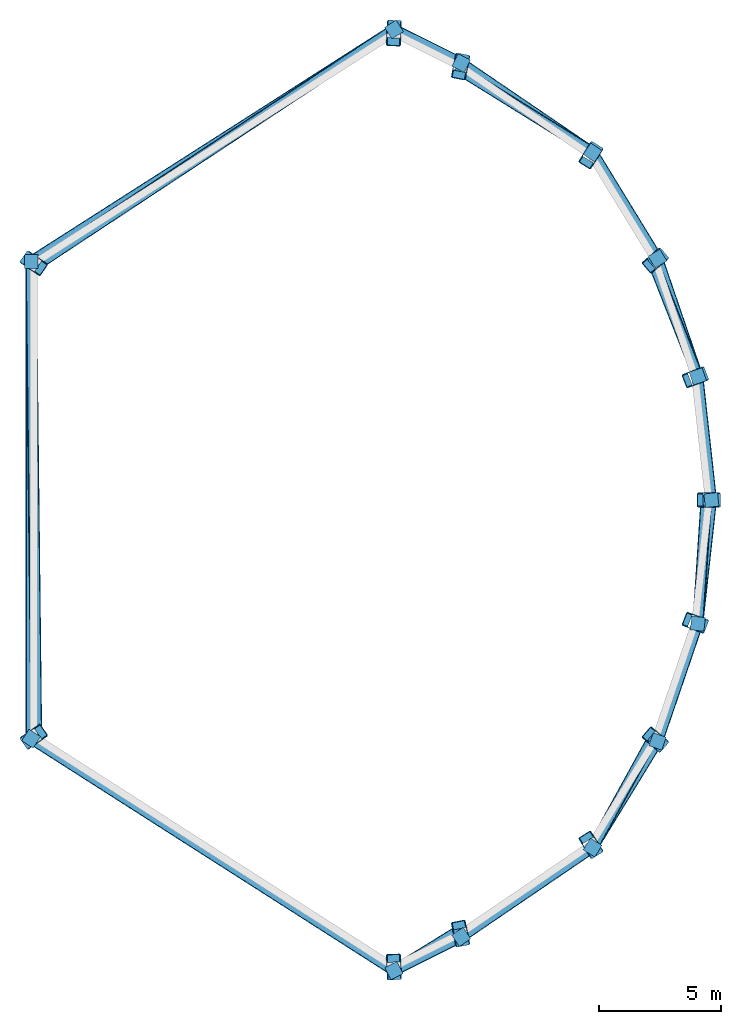
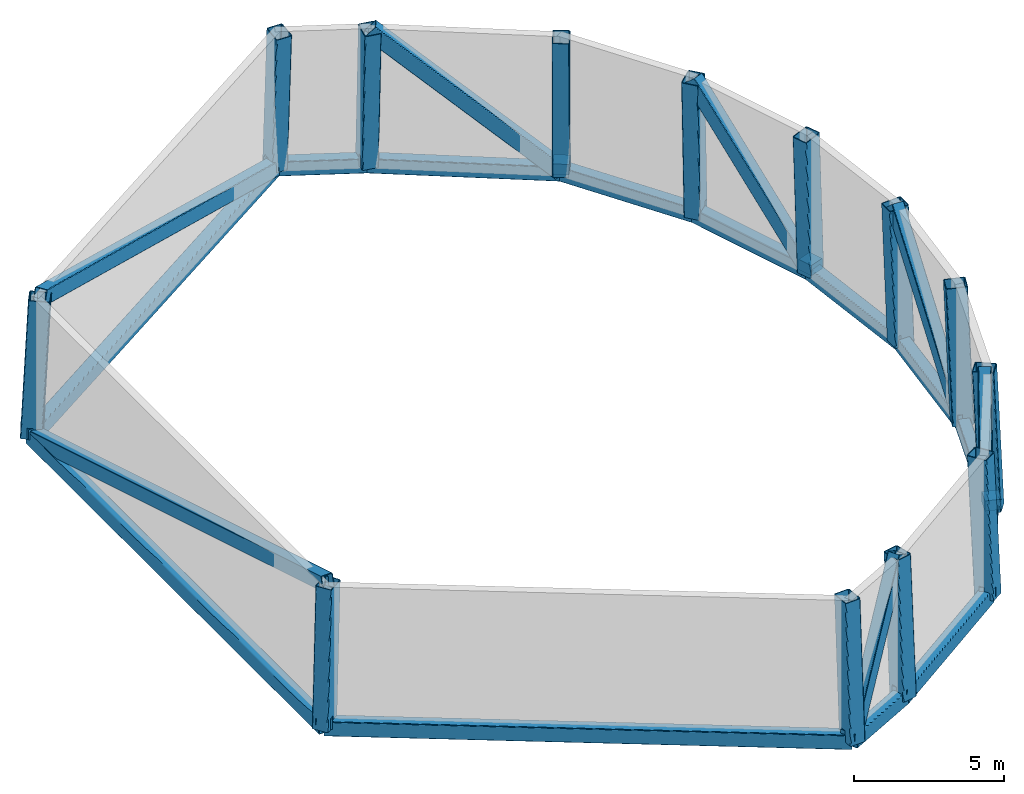
# One storey, part 1 of 2: 33 members, 13 discrete accessories.
"""IFC4 building model written with IfcOpenShell, lengths in metres."""

from ifc_helpers import new_model, si_unit, direction, frame, origin, origin_2d, place, context, subcontext, project, spatial, rectangle, hollow_rectangle, extrude, material, material_profile, profile_set, type_object, element, save


model = new_model("IFC4")

# Units and contexts
model_context = context("Model", 3, precision=1e-05, world=origin(), true_north=direction((0.0, 1.0)))
body_context = subcontext(model_context, "Body", "Model", "MODEL_VIEW")
ifc_project = project(units=[si_unit("LENGTHUNIT", "METRE"), si_unit("AREAUNIT", "SQUARE_METRE"), si_unit("VOLUMEUNIT", "CUBIC_METRE"), si_unit("PLANEANGLEUNIT", "RADIAN"), si_unit("MASSUNIT", "GRAM", prefix="KILO")], contexts=[model_context])

# Site, building, storey
site_placement = place(None, origin())
site = spatial("IfcSite", under=ifc_project, at=site_placement, CompositionType="ELEMENT")
building_placement = place(site_placement, origin())
building = spatial("IfcBuilding", under=site, at=building_placement, Name="Qorvath Tower", CompositionType="ELEMENT")
storey_placement = place(building_placement, frame((0.0, 0.0, 345.0)))
storey = spatial("IfcBuildingStorey", under=building, at=storey_placement, Name="L80", CompositionType="ELEMENT", Elevation=345.0)

# Members
ifc_material_1 = material(Name="Steel ASTM A572 Grade 50", Category="steel")
ifc_material_profile_1 = material_profile(ifc_material_1, hollow_rectangle(XDim=0.60009765625, YDim=0.75, WallThickness=0.031982421875, InnerFilletRadius=0.031982421875, OuterFilletRadius=0.06396484375, at=origin_2d()), Name="CROWN BOX 750x600x32")
ifc_profile_set_1 = profile_set([ifc_material_profile_1], Name="Steel ASTM A572 Grade 50")
member_type_1 = type_object("IfcMemberType", Name="MEM-CF1", PredefinedType="USERDEFINED", material=ifc_profile_set_1)
for number, where, z_axis, x_axis, name in (
    (1, (-34.052978515625, 9.74365234375, 0.0), (0.03979697798, -0.02761511435, 0.998826113997), (0.570093876895, 0.821579558854, 0.0), "CROWN FRAME Post L80-01"),
    (2, (-34.052978515625, -9.74365234375, 0.0), (0.03979697798, 0.02761511435, 0.998826113997), (-0.570093876895, 0.821579558854, 0.0), "CROWN FRAME Post L80-02"),
):
    element("IfcMember", number, at=place(storey_placement, frame(where, z_axis=z_axis, x_axis=x_axis)), inside=storey, type_object=member_type_1, Name=name, ObjectType="CROWN FRAME", PredefinedType="USERDEFINED", context=body_context, shape_type="SweptSolid", body=[
        extrude(hollow_rectangle(XDim=0.60009765625, YDim=0.75, WallThickness=0.031982421875, InnerFilletRadius=0.031982421875, OuterFilletRadius=0.06396484375, at=origin_2d()), origin(), (0.0, 0.0, 1.0), 5.631591796875),
    ])
member_1_placement = place(storey_placement, frame((-19.2353515625, -19.2138671875, 0.0), z_axis=(-0.0021669164, 0.054432939976, 0.998515077262), x_axis=(-0.999208565601, -0.039777411051, 0.0)))
element("IfcMember", 3, at=member_1_placement, inside=storey, type_object=member_type_1, Name="CROWN FRAME Post L80-03", ObjectType="CROWN FRAME", PredefinedType="USERDEFINED", context=body_context, shape_type="SweptSolid", body=[
    extrude(hollow_rectangle(XDim=0.60009765625, YDim=0.75, WallThickness=0.031982421875, InnerFilletRadius=0.031982421875, OuterFilletRadius=0.06396484375, at=origin_2d()), origin(), (0.0, 0.0, 1.0), 5.63330078125),
])
member_2_placement = place(storey_placement, frame((-16.49072265625, -17.84130859375, 0.0), z_axis=(-0.009926043629, 0.05054046669, 0.998672686562), x_axis=(-0.981254504539, -0.192716364957, 0.0)))
element("IfcMember", 4, at=member_2_placement, inside=storey, type_object=member_type_1, Name="CROWN FRAME Post L80-04", ObjectType="CROWN FRAME", PredefinedType="USERDEFINED", context=body_context, shape_type="SweptSolid", body=[
    extrude(hollow_rectangle(XDim=0.60009765625, YDim=0.75, WallThickness=0.031982421875, InnerFilletRadius=0.031982421875, OuterFilletRadius=0.06396484375, at=origin_2d()), origin(), (0.0, 0.0, 1.0), 5.632568359375),
])
member_3_placement = place(storey_placement, frame((-11.126220703125, -14.18994140625, 0.0), z_axis=(-0.025145306943, 0.040189137131, 0.998875641306), x_axis=(-0.847741322431, -0.5304098889, 0.0)))
element("IfcMember", 5, at=member_3_placement, inside=storey, type_object=member_type_1, Name="CROWN FRAME Post L80-05", ObjectType="CROWN FRAME", PredefinedType="USERDEFINED", context=body_context, shape_type="SweptSolid", body=[
    extrude(hollow_rectangle(XDim=0.60009765625, YDim=0.75, WallThickness=0.031982421875, InnerFilletRadius=0.031982421875, OuterFilletRadius=0.06396484375, at=origin_2d()), origin(), (0.0, 0.0, 1.0), 5.63134765625),
])
member_4_placement = place(storey_placement, frame((-8.474609375, -9.8564453125, 0.0), z_axis=(-0.03269542838, 0.027925538298, 0.999075158971), x_axis=(-0.649461555151, -0.760394429478, 0.0)))
element("IfcMember", 6, at=member_4_placement, inside=storey, type_object=member_type_1, Name="CROWN FRAME Post L80-06", ObjectType="CROWN FRAME", PredefinedType="USERDEFINED", context=body_context, shape_type="SweptSolid", body=[
    extrude(hollow_rectangle(XDim=0.60009765625, YDim=0.75, WallThickness=0.031982421875, InnerFilletRadius=0.031982421875, OuterFilletRadius=0.06396484375, at=origin_2d()), origin(), (0.0, 0.0, 1.0), 5.630126953125),
])
member_5_placement = place(storey_placement, frame((-6.8310546875, -5.049560546875, 0.0), z_axis=(-0.037339900955, 0.014311460296, 0.99920013706), x_axis=(-0.357888732889, -0.933764239447, 0.0)))
element("IfcMember", 7, at=member_5_placement, inside=storey, type_object=member_type_1, Name="CROWN FRAME Post L80-07", ObjectType="CROWN FRAME", PredefinedType="USERDEFINED", context=body_context, shape_type="SweptSolid", body=[
    extrude(hollow_rectangle(XDim=0.60009765625, YDim=0.75, WallThickness=0.031982421875, InnerFilletRadius=0.031982421875, OuterFilletRadius=0.06396484375, at=origin_2d()), origin(), (0.0, 0.0, 1.0), 5.62939453125),
])
member_6_placement = place(storey_placement, frame((-6.2744140625, 0.0, 0.0), z_axis=(-0.038902819874, 0.0, 0.999242998777), x_axis=(0.0, -1.0, 0.0)))
element("IfcMember", 8, at=member_6_placement, inside=storey, type_object=member_type_1, Name="CROWN FRAME Post L80-08", ObjectType="CROWN FRAME", PredefinedType="USERDEFINED", context=body_context, shape_type="SweptSolid", body=[
    extrude(hollow_rectangle(XDim=0.60009765625, YDim=0.75, WallThickness=0.031982421875, InnerFilletRadius=0.031982421875, OuterFilletRadius=0.06396484375, at=origin_2d()), origin(), (0.0, 0.0, 1.0), 5.629150390625),
])
member_7_placement = place(storey_placement, frame((-6.8310546875, 5.049560546875, 0.0), z_axis=(-0.037339900955, -0.014311460296, 0.99920013706), x_axis=(0.357888732889, -0.933764239447, 0.0)))
element("IfcMember", 9, at=member_7_placement, inside=storey, type_object=member_type_1, Name="CROWN FRAME Post L80-09", ObjectType="CROWN FRAME", PredefinedType="USERDEFINED", context=body_context, shape_type="SweptSolid", body=[
    extrude(hollow_rectangle(XDim=0.60009765625, YDim=0.75, WallThickness=0.031982421875, InnerFilletRadius=0.031982421875, OuterFilletRadius=0.06396484375, at=origin_2d()), origin(), (0.0, 0.0, 1.0), 5.62939453125),
])
member_8_placement = place(storey_placement, frame((-8.474609375, 9.8564453125, 0.0), z_axis=(-0.03269542838, -0.027925538298, 0.999075158971), x_axis=(0.649461555151, -0.760394429478, 0.0)))
element("IfcMember", 10, at=member_8_placement, inside=storey, type_object=member_type_1, Name="CROWN FRAME Post L80-10", ObjectType="CROWN FRAME", PredefinedType="USERDEFINED", context=body_context, shape_type="SweptSolid", body=[
    extrude(hollow_rectangle(XDim=0.60009765625, YDim=0.75, WallThickness=0.031982421875, InnerFilletRadius=0.031982421875, OuterFilletRadius=0.06396484375, at=origin_2d()), origin(), (0.0, 0.0, 1.0), 5.630126953125),
])
member_9_placement = place(storey_placement, frame((-11.126220703125, 14.18994140625, 0.0), z_axis=(-0.025145306943, -0.040189137131, 0.998875641306), x_axis=(0.847741322431, -0.5304098889, 0.0)))
element("IfcMember", 11, at=member_9_placement, inside=storey, type_object=member_type_1, Name="CROWN FRAME Post L80-11", ObjectType="CROWN FRAME", PredefinedType="USERDEFINED", context=body_context, shape_type="SweptSolid", body=[
    extrude(hollow_rectangle(XDim=0.60009765625, YDim=0.75, WallThickness=0.031982421875, InnerFilletRadius=0.031982421875, OuterFilletRadius=0.06396484375, at=origin_2d()), origin(), (0.0, 0.0, 1.0), 5.63134765625),
])
member_10_placement = place(storey_placement, frame((-16.49072265625, 17.84130859375, 0.0), z_axis=(-0.009926043629, -0.05054046669, 0.998672686562), x_axis=(0.981254504539, -0.192716364957, 0.0)))
element("IfcMember", 12, at=member_10_placement, inside=storey, type_object=member_type_1, Name="CROWN FRAME Post L80-12", ObjectType="CROWN FRAME", PredefinedType="USERDEFINED", context=body_context, shape_type="SweptSolid", body=[
    extrude(hollow_rectangle(XDim=0.60009765625, YDim=0.75, WallThickness=0.031982421875, InnerFilletRadius=0.031982421875, OuterFilletRadius=0.06396484375, at=origin_2d()), origin(), (0.0, 0.0, 1.0), 5.632568359375),
])
member_11_placement = place(storey_placement, frame((-19.2353515625, 19.2138671875, 0.0), z_axis=(-0.0021669164, -0.054432939976, 0.998515077262), x_axis=(0.999208565601, -0.039777411051, 0.0)))
element("IfcMember", 13, at=member_11_placement, inside=storey, type_object=member_type_1, Name="CROWN FRAME Post L80-13", ObjectType="CROWN FRAME", PredefinedType="USERDEFINED", context=body_context, shape_type="SweptSolid", body=[
    extrude(hollow_rectangle(XDim=0.60009765625, YDim=0.75, WallThickness=0.031982421875, InnerFilletRadius=0.031982421875, OuterFilletRadius=0.06396484375, at=origin_2d()), origin(), (0.0, 0.0, 1.0), 5.63330078125),
])
ifc_material_2 = material(Name="Steel ASTM A572 Grade 50", Category="steel")
ifc_material_profile_2 = material_profile(ifc_material_2, hollow_rectangle(XDim=0.449951171875, YDim=0.60009765625, WallThickness=0.02490234375, InnerFilletRadius=0.02490234375, OuterFilletRadius=0.050048828125, at=origin_2d()), Name="CROWN BOX 600x450x25")
ifc_profile_set_2 = profile_set([ifc_material_profile_2], Name="Steel ASTM A572 Grade 50")
member_type_2 = type_object("IfcMemberType", Name="MEM-CF2", PredefinedType="USERDEFINED", material=ifc_profile_set_2)
member_12_placement = place(storey_placement, frame((-34.052978515625, 9.74365234375, 0.0), z_axis=(0.0, -1.0, 0.0), x_axis=(1.0, 0.0, 0.0)))
element("IfcMember", 14, at=member_12_placement, inside=storey, type_object=member_type_2, Name="CROWN FRAME Ring Beam L80-01", ObjectType="CROWN FRAME", PredefinedType="USERDEFINED", context=body_context, shape_type="SweptSolid", body=[
    extrude(hollow_rectangle(XDim=0.449951171875, YDim=0.60009765625, WallThickness=0.02490234375, InnerFilletRadius=0.02490234375, OuterFilletRadius=0.050048828125, at=origin_2d()), origin(), (0.0, 0.0, 1.0), 19.4873046875),
])
member_13_placement = place(storey_placement, frame((-34.052978515625, -9.74365234375, 0.0), z_axis=(0.842608590963, -0.538526473291, 0.0), x_axis=(0.538526473291, 0.842608590963, 0.0)))
element("IfcMember", 15, at=member_13_placement, inside=storey, type_object=member_type_2, Name="CROWN FRAME Ring Beam L80-02", ObjectType="CROWN FRAME", PredefinedType="USERDEFINED", context=body_context, shape_type="SweptSolid", body=[
    extrude(hollow_rectangle(XDim=0.449951171875, YDim=0.60009765625, WallThickness=0.02490234375, InnerFilletRadius=0.02490234375, OuterFilletRadius=0.050048828125, at=origin_2d()), origin(), (0.0, 0.0, 1.0), 17.58544921875),
])
member_14_placement = place(storey_placement, frame((-19.2353515625, -19.2138671875, 0.0), z_axis=(0.894395365381, 0.447277241076, 0.0), x_axis=(-0.447277241076, 0.894395365381, 0.0)))
element("IfcMember", 16, at=member_14_placement, inside=storey, type_object=member_type_2, Name="CROWN FRAME Ring Beam L80-03", ObjectType="CROWN FRAME", PredefinedType="USERDEFINED", context=body_context, shape_type="SweptSolid", body=[
    extrude(hollow_rectangle(XDim=0.449951171875, YDim=0.60009765625, WallThickness=0.02490234375, InnerFilletRadius=0.02490234375, OuterFilletRadius=0.050048828125, at=origin_2d()), origin(), (0.0, 0.0, 1.0), 3.068603515625),
])
member_15_placement = place(storey_placement, frame((-16.49072265625, -17.84130859375, 0.0), z_axis=(0.826675206188, 0.562679396703, 0.0), x_axis=(-0.562679396703, 0.826675206188, 0.0)))
element("IfcMember", 17, at=member_15_placement, inside=storey, type_object=member_type_2, Name="CROWN FRAME Ring Beam L80-04", ObjectType="CROWN FRAME", PredefinedType="USERDEFINED", context=body_context, shape_type="SweptSolid", body=[
    extrude(hollow_rectangle(XDim=0.449951171875, YDim=0.60009765625, WallThickness=0.02490234375, InnerFilletRadius=0.02490234375, OuterFilletRadius=0.050048828125, at=origin_2d()), origin(), (0.0, 0.0, 1.0), 6.4892578125),
])
member_16_placement = place(storey_placement, frame((-11.126220703125, -14.18994140625, 0.0), z_axis=(0.521931994211, 0.852987100382, 0.0), x_axis=(-0.852987100382, 0.521931994211, 0.0)))
element("IfcMember", 18, at=member_16_placement, inside=storey, type_object=member_type_2, Name="CROWN FRAME Ring Beam L80-05", ObjectType="CROWN FRAME", PredefinedType="USERDEFINED", context=body_context, shape_type="SweptSolid", body=[
    extrude(hollow_rectangle(XDim=0.449951171875, YDim=0.60009765625, WallThickness=0.02490234375, InnerFilletRadius=0.02490234375, OuterFilletRadius=0.050048828125, at=origin_2d()), origin(), (0.0, 0.0, 1.0), 5.080322265625),
])
for number, where, z_axis, x_axis, name in (
    (19, (-8.474609375, -9.8564453125, 0.0), (0.3235280365, 0.946218584471, 0.0), (-0.946218584471, 0.3235280365, 0.0), "CROWN FRAME Ring Beam L80-06"),
    (20, (-6.8310546875, -5.049560546875, 0.0), (0.109571719498, 0.993978892274, 0.0), (-0.993978892274, 0.109571719498, 0.0), "CROWN FRAME Ring Beam L80-07"),
    (21, (-6.2744140625, 0.0, 0.0), (-0.109571719498, 0.993978892274, 0.0), (-0.993978892274, -0.109571719498, 0.0), "CROWN FRAME Ring Beam L80-08"),
    (22, (-6.8310546875, 5.049560546875, 0.0), (-0.3235280365, 0.946218584471, 0.0), (-0.946218584471, -0.3235280365, 0.0), "CROWN FRAME Ring Beam L80-09"),
):
    element("IfcMember", number, at=place(storey_placement, frame(where, z_axis=z_axis, x_axis=x_axis)), inside=storey, type_object=member_type_2, Name=name, ObjectType="CROWN FRAME", PredefinedType="USERDEFINED", context=body_context, shape_type="SweptSolid", body=[
        extrude(hollow_rectangle(XDim=0.449951171875, YDim=0.60009765625, WallThickness=0.02490234375, InnerFilletRadius=0.02490234375, OuterFilletRadius=0.050048828125, at=origin_2d()), origin(), (0.0, 0.0, 1.0), 5.080078125),
    ])
member_17_placement = place(storey_placement, frame((-8.474609375, 9.8564453125, 0.0), z_axis=(-0.521931994211, 0.852987100382, 0.0), x_axis=(-0.852987100382, -0.521931994211, 0.0)))
element("IfcMember", 23, at=member_17_placement, inside=storey, type_object=member_type_2, Name="CROWN FRAME Ring Beam L80-10", ObjectType="CROWN FRAME", PredefinedType="USERDEFINED", context=body_context, shape_type="SweptSolid", body=[
    extrude(hollow_rectangle(XDim=0.449951171875, YDim=0.60009765625, WallThickness=0.02490234375, InnerFilletRadius=0.02490234375, OuterFilletRadius=0.050048828125, at=origin_2d()), origin(), (0.0, 0.0, 1.0), 5.080322265625),
])
member_18_placement = place(storey_placement, frame((-11.126220703125, 14.18994140625, 0.0), z_axis=(-0.826675206188, 0.562679396703, 0.0), x_axis=(-0.562679396703, -0.826675206188, 0.0)))
element("IfcMember", 24, at=member_18_placement, inside=storey, type_object=member_type_2, Name="CROWN FRAME Ring Beam L80-11", ObjectType="CROWN FRAME", PredefinedType="USERDEFINED", context=body_context, shape_type="SweptSolid", body=[
    extrude(hollow_rectangle(XDim=0.449951171875, YDim=0.60009765625, WallThickness=0.02490234375, InnerFilletRadius=0.02490234375, OuterFilletRadius=0.050048828125, at=origin_2d()), origin(), (0.0, 0.0, 1.0), 6.4892578125),
])
member_19_placement = place(storey_placement, frame((-16.49072265625, 17.84130859375, 0.0), z_axis=(-0.894395365381, 0.447277241076, 0.0), x_axis=(-0.447277241076, -0.894395365381, 0.0)))
element("IfcMember", 25, at=member_19_placement, inside=storey, type_object=member_type_2, Name="CROWN FRAME Ring Beam L80-12", ObjectType="CROWN FRAME", PredefinedType="USERDEFINED", context=body_context, shape_type="SweptSolid", body=[
    extrude(hollow_rectangle(XDim=0.449951171875, YDim=0.60009765625, WallThickness=0.02490234375, InnerFilletRadius=0.02490234375, OuterFilletRadius=0.050048828125, at=origin_2d()), origin(), (0.0, 0.0, 1.0), 3.068603515625),
])
member_20_placement = place(storey_placement, frame((-19.2353515625, 19.2138671875, 0.0), z_axis=(-0.842608590963, -0.538526473291, 0.0), x_axis=(0.538526473291, -0.842608590963, 0.0)))
element("IfcMember", 26, at=member_20_placement, inside=storey, type_object=member_type_2, Name="CROWN FRAME Ring Beam L80-13", ObjectType="CROWN FRAME", PredefinedType="USERDEFINED", context=body_context, shape_type="SweptSolid", body=[
    extrude(hollow_rectangle(XDim=0.449951171875, YDim=0.60009765625, WallThickness=0.02490234375, InnerFilletRadius=0.02490234375, OuterFilletRadius=0.050048828125, at=origin_2d()), origin(), (0.0, 0.0, 1.0), 17.58544921875),
])
member_21_placement = place(storey_placement, frame((-34.052978515625, 9.74365234375, 0.0), z_axis=(0.011131049696, -0.960119725608, 0.279367521791), x_axis=(0.99993280334, 0.011592618535, 0.0)))
element("IfcMember", 27, at=member_21_placement, inside=storey, type_object=member_type_2, Name="CROWN FRAME Diagonal Brace L80-01", ObjectType="CROWN FRAME", PredefinedType="USERDEFINED", context=body_context, shape_type="SweptSolid", body=[
    extrude(hollow_rectangle(XDim=0.449951171875, YDim=0.60009765625, WallThickness=0.02490234375, InnerFilletRadius=0.02490234375, OuterFilletRadius=0.050048828125, at=origin_2d()), origin(), (0.0, 0.0, 1.0), 20.134765625),
])
member_22_placement = place(storey_placement, frame((-19.2353515625, -19.2138671875, 0.0), z_axis=(0.416787083274, 0.256891920572, 0.871949005596), x_axis=(-0.524701083506, 0.851286539872, 0.0)))
element("IfcMember", 28, at=member_22_placement, inside=storey, type_object=member_type_2, Name="CROWN FRAME Diagonal Brace L80-03", ObjectType="CROWN FRAME", PredefinedType="USERDEFINED", context=body_context, shape_type="SweptSolid", body=[
    extrude(hollow_rectangle(XDim=0.449951171875, YDim=0.60009765625, WallThickness=0.02490234375, InnerFilletRadius=0.02490234375, OuterFilletRadius=0.050048828125, at=origin_2d()), origin(), (0.0, 0.0, 1.0), 6.451171875),
])
member_23_placement = place(storey_placement, frame((-11.126220703125, -14.18994140625, 0.0), z_axis=(0.324293581957, 0.590190575494, 0.739262306153), x_axis=(-0.876410995714, 0.48156387592, 0.0)))
element("IfcMember", 29, at=member_23_placement, inside=storey, type_object=member_type_2, Name="CROWN FRAME Diagonal Brace L80-05", ObjectType="CROWN FRAME", PredefinedType="USERDEFINED", context=body_context, shape_type="SweptSolid", body=[
    extrude(hollow_rectangle(XDim=0.449951171875, YDim=0.60009765625, WallThickness=0.02490234375, InnerFilletRadius=0.02490234375, OuterFilletRadius=0.050048828125, at=origin_2d()), origin(), (0.0, 0.0, 1.0), 7.60888671875),
])
member_24_placement = place(storey_placement, frame((-6.8310546875, -5.049560546875, 0.0), z_axis=(0.044623566375, 0.66735301759, 0.743403448497), x_axis=(-0.997771903808, 0.066717523714, 0.0)))
element("IfcMember", 30, at=member_24_placement, inside=storey, type_object=member_type_2, Name="CROWN FRAME Diagonal Brace L80-07", ObjectType="CROWN FRAME", PredefinedType="USERDEFINED", context=body_context, shape_type="SweptSolid", body=[
    extrude(hollow_rectangle(XDim=0.449951171875, YDim=0.60009765625, WallThickness=0.02490234375, InnerFilletRadius=0.02490234375, OuterFilletRadius=0.050048828125, at=origin_2d()), origin(), (0.0, 0.0, 1.0), 7.566650390625),
])
member_25_placement = place(storey_placement, frame((-6.8310546875, 5.049560546875, 0.0), z_axis=(-0.242929850429, 0.618033529445, 0.747676162689), x_axis=(-0.93068435899, -0.36582321404, 0.0)))
element("IfcMember", 31, at=member_25_placement, inside=storey, type_object=member_type_2, Name="CROWN FRAME Diagonal Brace L80-09", ObjectType="CROWN FRAME", PredefinedType="USERDEFINED", context=body_context, shape_type="SweptSolid", body=[
    extrude(hollow_rectangle(XDim=0.449951171875, YDim=0.60009765625, WallThickness=0.02490234375, InnerFilletRadius=0.02490234375, OuterFilletRadius=0.050048828125, at=origin_2d()), origin(), (0.0, 0.0, 1.0), 7.523193359375),
])
member_26_placement = place(storey_placement, frame((-11.126220703125, 14.18994140625, 0.0), z_axis=(-0.637227442286, 0.395791659721, 0.661279176213), x_axis=(-0.527623802193, -0.849478147664, 0.0)))
element("IfcMember", 32, at=member_26_placement, inside=storey, type_object=member_type_2, Name="CROWN FRAME Diagonal Brace L80-11", ObjectType="CROWN FRAME", PredefinedType="USERDEFINED", context=body_context, shape_type="SweptSolid", body=[
    extrude(hollow_rectangle(XDim=0.449951171875, YDim=0.60009765625, WallThickness=0.02490234375, InnerFilletRadius=0.02490234375, OuterFilletRadius=0.050048828125, at=origin_2d()), origin(), (0.0, 0.0, 1.0), 8.50634765625),
])
member_27_placement = place(storey_placement, frame((-19.2353515625, 19.2138671875, 0.0), z_axis=(-0.794645646646, -0.524140425099, 0.306292525282), x_axis=(0.550603856181, -0.834766670129, 0.0)))
element("IfcMember", 33, at=member_27_placement, inside=storey, type_object=member_type_2, Name="CROWN FRAME Diagonal Brace L80-13", ObjectType="CROWN FRAME", PredefinedType="USERDEFINED", context=body_context, shape_type="SweptSolid", body=[
    extrude(hollow_rectangle(XDim=0.449951171875, YDim=0.60009765625, WallThickness=0.02490234375, InnerFilletRadius=0.02490234375, OuterFilletRadius=0.050048828125, at=origin_2d()), origin(), (0.0, 0.0, 1.0), 18.36474609375),
])

# Discrete accessories
ifc_material_3 = material(Name="Galvanised steel bracket", Category="steel")
discrete_accessory_type = type_object("IfcDiscreteAccessoryType", Name="DA-BRACKET", PredefinedType="BRACKET", material=ifc_material_3)
for number, where, z_axis, x_axis, name in (
    (34, (-34.052978515625, 9.74365234375, 0.0400390625), (0.0, 0.0, 1.0), (0.0, -1.0, 0.0), "Crown Screen Mounting Bracket L80-01"),
    (35, (-34.052978515625, -9.74365234375, 0.0400390625), (0.0, 0.0, 1.0), (0.84260751692, -0.538528153796, 0.0), "Crown Screen Mounting Bracket L80-02"),
    (36, (-19.2353515625, -19.2138671875, 0.0400390625), (0.0, 0.0, 1.0), (0.894420565542, 0.44722684617, 0.0), "Crown Screen Mounting Bracket L80-03"),
    (37, (-16.49072265625, -17.84130859375, 0.0400390625), (0.0, 0.0, 1.0), (0.8266663593, 0.562692394121, 0.0), "Crown Screen Mounting Bracket L80-04"),
    (38, (-11.126220703125, -14.18994140625, 0.0400390625), (0.0, 0.0, 1.0), (0.52190913739, 0.853001085761, 0.0), "Crown Screen Mounting Bracket L80-05"),
    (39, (-8.474609375, -9.8564453125, 0.0400390625), (0.0, 0.0, 1.0), (0.323577243796, 0.94620175824, 0.0), "Crown Screen Mounting Bracket L80-06"),
    (40, (-6.8310546875, -5.049560546875, 0.0400390625), (0.0, 0.0, 1.0), (0.109569504616, 0.99397913643, 0.0), "Crown Screen Mounting Bracket L80-07"),
    (41, (-6.2744140625, 0.0, 0.0400390625), (0.0, 0.0, 1.0), (-0.109569504616, 0.99397913643, 0.0), "Crown Screen Mounting Bracket L80-08"),
    (42, (-6.8310546875, 5.049560546875, 0.0400390625), (0.0, 0.0, 1.0), (-0.323577243796, 0.94620175824, 0.0), "Crown Screen Mounting Bracket L80-09"),
    (43, (-8.474609375, 9.8564453125, 0.0400390625), (0.0, 0.0, 1.0), (-0.52190913739, 0.853001085761, 0.0), "Crown Screen Mounting Bracket L80-10"),
    (44, (-11.126220703125, 14.18994140625, 0.0400390625), (0.0, 0.0, 1.0), (-0.8266663593, 0.562692394121, 0.0), "Crown Screen Mounting Bracket L80-11"),
    (45, (-16.49072265625, 17.84130859375, 0.0400390625), (0.0, 0.0, 1.0), (-0.894420565542, 0.44722684617, 0.0), "Crown Screen Mounting Bracket L80-12"),
    (46, (-19.2353515625, 19.2138671875, 0.0400390625), (0.0, 0.0, 1.0), (-0.84260751692, -0.538528153796, 0.0), "Crown Screen Mounting Bracket L80-13"),
):
    element("IfcDiscreteAccessory", number, at=place(storey_placement, frame(where, z_axis=z_axis, x_axis=x_axis)), inside=storey, type_object=discrete_accessory_type, Name=name, PredefinedType="NOTDEFINED", context=body_context, shape_type="SweptSolid", body=[
        extrude(rectangle(XDim=0.56005859375, YDim=0.56005859375, at=origin_2d()), origin(), (0.0, 0.0, 1.0), 0.419921875),
    ])

save(model, "model.ifc")
